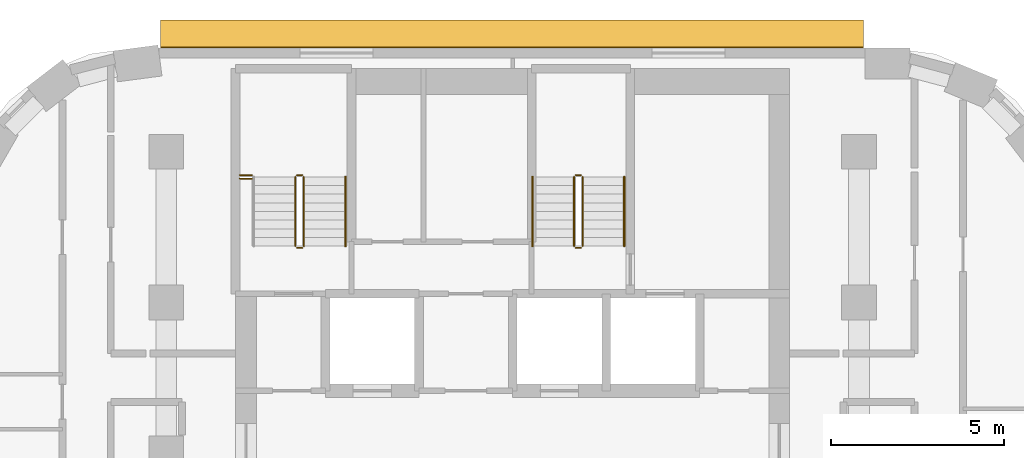
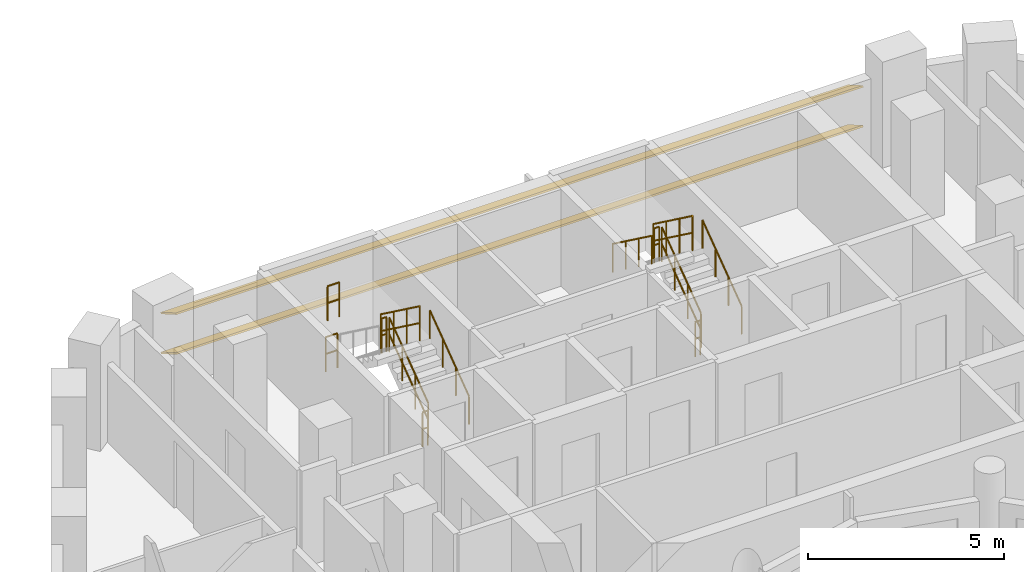
# One storey, part 13 of 13: 13 railings, 2 shading devices.
"""IFC4 building model written with IfcOpenShell, lengths in metres."""

from ifc_helpers import new_model, si_unit, direction, frame, origin, origin_2d, place, context, subcontext, project, spatial, rectangle, circle, extrude, material, material_profile, profile_set, type_object, element, save


model = new_model("IFC4")

# Units and contexts
model_context = context("Model", 3, precision=1e-05, world=origin(), true_north=direction((0.0, 1.0)))
body_context = subcontext(model_context, "Body", "Model", "MODEL_VIEW")
ifc_project = project(units=[si_unit("LENGTHUNIT", "METRE"), si_unit("AREAUNIT", "SQUARE_METRE"), si_unit("VOLUMEUNIT", "CUBIC_METRE"), si_unit("PLANEANGLEUNIT", "RADIAN"), si_unit("MASSUNIT", "GRAM", prefix="KILO")], contexts=[model_context])

# Site, building, storey
site_placement = place(None, origin())
site = spatial("IfcSite", under=ifc_project, at=site_placement, CompositionType="ELEMENT")
building_placement = place(site_placement, origin())
building = spatial("IfcBuilding", under=site, at=building_placement, Name="Nakaniwa Court", CompositionType="ELEMENT")
storey_placement = place(building_placement, frame((0.0, 0.0, 133.800048828125)))
storey = spatial("IfcBuildingStorey", under=building, at=storey_placement, Name="L34", CompositionType="ELEMENT", Elevation=133.800048828125)

# Shading devices
ifc_material_1 = material(Name="Perforated charcoal ceramic louvre blade")
ifc_material_profile = material_profile(ifc_material_1, rectangle(XDim=0.89990234375, YDim=0.050048828125, at=origin_2d()), Name="Perforated ceramic louvre blade")
ifc_profile_set = profile_set([ifc_material_profile], Name="Perforated charcoal ceramic louvre blade")
shading_device_type = type_object("IfcShadingDeviceType", Name="Perforated ceramic louvre blade", PredefinedType="JALOUSIE", material=ifc_profile_set)
for number, where, z_axis, x_axis, name in (
    (1, (90.128662109375, 104.402099609375, 0.550048828125), (-1.0, 0.0, 0.0), (0.0, -0.866025403784, 0.5), "L34 perforated ceramic louvre blade w08 1"),
    (2, (90.128662109375, 104.402099609375, 1.793212890625), (-1.0, 0.0, 0.0), (0.0, -0.866025403784, 0.5), "L34 perforated ceramic louvre blade w08 2"),
):
    element("IfcShadingDevice", number, at=place(storey_placement, frame(where, z_axis=z_axis, x_axis=x_axis)), inside=storey, type_object=shading_device_type, Name=name, PredefinedType="JALOUSIE", context=body_context, shape_type="SweptSolid", body=[
        extrude(rectangle(XDim=0.89990234375, YDim=0.050048828125, at=origin_2d()), origin(), (0.0, 0.0, 1.0), 20.291259765625),
    ])

# Railings
ifc_material_2 = material(Name="Black powder coated steel guard", Category="steel")
railing_type_1 = type_object("IfcRailingType", Name="Stair guard 1100", PredefinedType="GUARDRAIL", material=ifc_material_2)
railing_1_placement = place(storey_placement, frame((73.97509765625, 98.27490234375, 0.183349609375)))
element("IfcRailing", 3, at=railing_1_placement, inside=storey, type_object=railing_type_1, Name="L34 ST1 stair guard 1", PredefinedType="GUARDRAIL", context=body_context, shape_type="SweptSolid", body=[
    extrude(circle(Radius=0.02392578125, at=origin_2d()), frame((0.0, 0.0, 1.076171875), z_axis=(0.0, 0.806426902644, 0.591333789573), x_axis=(-1.0, 0.0, 0.0)), (0.0, 0.0, 1.0), 2.47998046875),
    extrude(circle(Radius=0.02392578125, at=origin_2d()), frame((0.0, 0.0, 0.550048828125), z_axis=(0.0, 0.806426902644, 0.591333789573), x_axis=(-1.0, 0.0, 0.0)), (0.0, 0.0, 1.0), 2.47998046875),
    extrude(circle(Radius=0.02099609375, at=origin_2d()), origin(), (0.0, 0.0, 1.0), 1.052001953125),
    extrude(circle(Radius=0.02099609375, at=origin_2d()), frame((0.0, 0.666748046875, 0.48876953125)), (0.0, 0.0, 1.0), 1.052001953125),
    extrude(circle(Radius=0.02099609375, at=origin_2d()), frame((0.0, 1.333251953125, 0.977783203125)), (0.0, 0.0, 1.0), 1.052001953125),
    extrude(circle(Radius=0.02099609375, at=origin_2d()), frame((0.0, 2.0, 1.466552734375)), (0.0, 0.0, 1.0), 1.052001953125),
])
railing_2_placement = place(storey_placement, frame((73.925048828125, 100.324951171875, 1.64990234375)))
element("IfcRailing", 4, at=railing_2_placement, inside=storey, type_object=railing_type_1, Name="L34 ST1 stair guard 2", PredefinedType="GUARDRAIL", context=body_context, shape_type="SweptSolid", body=[
    extrude(circle(Radius=0.02392578125, at=origin_2d()), frame((0.0, 0.0, 1.076171875), z_axis=(-1.0, 0.0, 0.0), x_axis=(0.0, -1.0, 0.0)), (0.0, 0.0, 1.0), 0.150146484375),
    extrude(circle(Radius=0.02392578125, at=origin_2d()), frame((0.0, 0.0, 0.550048828125), z_axis=(-1.0, 0.0, 0.0), x_axis=(0.0, -1.0, 0.0)), (0.0, 0.0, 1.0), 0.150146484375),
    extrude(circle(Radius=0.02099609375, at=origin_2d()), origin(), (0.0, 0.0, 1.0), 1.052001953125),
    extrude(circle(Radius=0.02099609375, at=origin_2d()), frame((-0.150146484375, 0.0, 0.0)), (0.0, 0.0, 1.0), 1.052001953125),
])
railing_3_placement = place(storey_placement, frame((73.72509765625, 100.27490234375, 1.833251953125)))
element("IfcRailing", 5, at=railing_3_placement, inside=storey, type_object=railing_type_1, Name="L34 ST1 stair guard 3", PredefinedType="GUARDRAIL", context=body_context, shape_type="SweptSolid", body=[
    extrude(circle(Radius=0.02392578125, at=origin_2d()), frame((0.0, 0.0, 1.076171875), z_axis=(0.0, -0.806379959628, 0.591397802423), x_axis=(1.0, 0.0, 0.0)), (0.0, 0.0, 1.0), 2.480224609375),
    extrude(circle(Radius=0.02392578125, at=origin_2d()), frame((0.0, 0.0, 0.550048828125), z_axis=(0.0, -0.806379959628, 0.591397802423), x_axis=(1.0, 0.0, 0.0)), (0.0, 0.0, 1.0), 2.480224609375),
    extrude(circle(Radius=0.02099609375, at=origin_2d()), origin(), (0.0, 0.0, 1.0), 1.052001953125),
    extrude(circle(Radius=0.02099609375, at=origin_2d()), frame((0.0, -0.666748046875, 0.489013671875)), (0.0, 0.0, 1.0), 1.052001953125),
    extrude(circle(Radius=0.02099609375, at=origin_2d()), frame((0.0, -1.333251953125, 0.977783203125)), (0.0, 0.0, 1.0), 1.052001953125),
    extrude(circle(Radius=0.02099609375, at=origin_2d()), frame((0.0, -2.0, 1.466796875)), (0.0, 0.0, 1.0), 1.052001953125),
])
railing_4_placement = place(storey_placement, frame((73.925048828125, 98.22509765625, 0.0)))
element("IfcRailing", 6, at=railing_4_placement, inside=storey, type_object=railing_type_1, Name="L34 ST1 stair guard 4", PredefinedType="GUARDRAIL", context=body_context, shape_type="SweptSolid", body=[
    extrude(circle(Radius=0.02392578125, at=origin_2d()), frame((0.0, 0.0, 1.076171875), z_axis=(-1.0, 0.0, 0.0), x_axis=(0.0, -1.0, 0.0)), (0.0, 0.0, 1.0), 0.150146484375),
    extrude(circle(Radius=0.02392578125, at=origin_2d()), frame((0.0, 0.0, 0.550048828125), z_axis=(-1.0, 0.0, 0.0), x_axis=(0.0, -1.0, 0.0)), (0.0, 0.0, 1.0), 0.150146484375),
    extrude(circle(Radius=0.02099609375, at=origin_2d()), origin(), (0.0, 0.0, 1.0), 1.052001953125),
    extrude(circle(Radius=0.02099609375, at=origin_2d()), frame((-0.150146484375, 0.0, 0.0)), (0.0, 0.0, 1.0), 1.052001953125),
])
for number, where, name in (
    (7, (72.125, 100.324951171875, 1.64990234375), "L34 ST1 landing side guard 1W"),
    (8, (72.125, 100.22509765625, 3.300048828125), "L34 ST1 floor edge guard 1W"),
):
    element("IfcRailing", number, at=place(storey_placement, frame(where)), inside=storey, type_object=railing_type_1, Name=name, PredefinedType="GUARDRAIL", context=body_context, shape_type="SweptSolid", body=[
        extrude(circle(Radius=0.02392578125, at=origin_2d()), frame((0.0, 0.0, 1.076171875), z_axis=(1.0, 0.0, 0.0), x_axis=(0.0, 1.0, 0.0)), (0.0, 0.0, 1.0), 0.35009765625),
        extrude(circle(Radius=0.02392578125, at=origin_2d()), frame((0.0, 0.0, 0.550048828125), z_axis=(1.0, 0.0, 0.0), x_axis=(0.0, 1.0, 0.0)), (0.0, 0.0, 1.0), 0.35009765625),
        extrude(circle(Radius=0.02099609375, at=origin_2d()), origin(), (0.0, 0.0, 1.0), 1.052001953125),
        extrude(circle(Radius=0.02099609375, at=origin_2d()), frame((0.35009765625, 0.0, 0.0)), (0.0, 0.0, 1.0), 1.052001953125),
    ])
railing_5_placement = place(storey_placement, frame((82.02490234375, 98.27490234375, 0.183349609375)))
element("IfcRailing", 9, at=railing_5_placement, inside=storey, type_object=railing_type_1, Name="L34 ST2 stair guard 1", PredefinedType="GUARDRAIL", context=body_context, shape_type="SweptSolid", body=[
    extrude(circle(Radius=0.02392578125, at=origin_2d()), frame((0.0, 0.0, 1.076171875), z_axis=(0.0, 0.806426902644, 0.591333789573), x_axis=(-1.0, 0.0, 0.0)), (0.0, 0.0, 1.0), 2.47998046875),
    extrude(circle(Radius=0.02392578125, at=origin_2d()), frame((0.0, 0.0, 0.550048828125), z_axis=(0.0, 0.806426902644, 0.591333789573), x_axis=(-1.0, 0.0, 0.0)), (0.0, 0.0, 1.0), 2.47998046875),
    extrude(circle(Radius=0.02099609375, at=origin_2d()), origin(), (0.0, 0.0, 1.0), 1.052001953125),
    extrude(circle(Radius=0.02099609375, at=origin_2d()), frame((0.0, 0.666748046875, 0.48876953125)), (0.0, 0.0, 1.0), 1.052001953125),
    extrude(circle(Radius=0.02099609375, at=origin_2d()), frame((0.0, 1.333251953125, 0.977783203125)), (0.0, 0.0, 1.0), 1.052001953125),
    extrude(circle(Radius=0.02099609375, at=origin_2d()), frame((0.0, 2.0, 1.466552734375)), (0.0, 0.0, 1.0), 1.052001953125),
])
railing_6_placement = place(storey_placement, frame((81.97509765625, 100.324951171875, 1.64990234375)))
element("IfcRailing", 10, at=railing_6_placement, inside=storey, type_object=railing_type_1, Name="L34 ST2 stair guard 2", PredefinedType="GUARDRAIL", context=body_context, shape_type="SweptSolid", body=[
    extrude(circle(Radius=0.02392578125, at=origin_2d()), frame((0.0, 0.0, 1.076171875), z_axis=(-1.0, 0.0, 0.0), x_axis=(0.0, -1.0, 0.0)), (0.0, 0.0, 1.0), 0.150146484375),
    extrude(circle(Radius=0.02392578125, at=origin_2d()), frame((0.0, 0.0, 0.550048828125), z_axis=(-1.0, 0.0, 0.0), x_axis=(0.0, -1.0, 0.0)), (0.0, 0.0, 1.0), 0.150146484375),
    extrude(circle(Radius=0.02099609375, at=origin_2d()), origin(), (0.0, 0.0, 1.0), 1.052001953125),
    extrude(circle(Radius=0.02099609375, at=origin_2d()), frame((-0.150146484375, 0.0, 0.0)), (0.0, 0.0, 1.0), 1.052001953125),
])
railing_7_placement = place(storey_placement, frame((81.77490234375, 100.27490234375, 1.833251953125)))
element("IfcRailing", 11, at=railing_7_placement, inside=storey, type_object=railing_type_1, Name="L34 ST2 stair guard 3", PredefinedType="GUARDRAIL", context=body_context, shape_type="SweptSolid", body=[
    extrude(circle(Radius=0.02392578125, at=origin_2d()), frame((0.0, 0.0, 1.076171875), z_axis=(0.0, -0.806379959628, 0.591397802423), x_axis=(1.0, 0.0, 0.0)), (0.0, 0.0, 1.0), 2.480224609375),
    extrude(circle(Radius=0.02392578125, at=origin_2d()), frame((0.0, 0.0, 0.550048828125), z_axis=(0.0, -0.806379959628, 0.591397802423), x_axis=(1.0, 0.0, 0.0)), (0.0, 0.0, 1.0), 2.480224609375),
    extrude(circle(Radius=0.02099609375, at=origin_2d()), origin(), (0.0, 0.0, 1.0), 1.052001953125),
    extrude(circle(Radius=0.02099609375, at=origin_2d()), frame((0.0, -0.666748046875, 0.489013671875)), (0.0, 0.0, 1.0), 1.052001953125),
    extrude(circle(Radius=0.02099609375, at=origin_2d()), frame((0.0, -1.333251953125, 0.977783203125)), (0.0, 0.0, 1.0), 1.052001953125),
    extrude(circle(Radius=0.02099609375, at=origin_2d()), frame((0.0, -2.0, 1.466796875)), (0.0, 0.0, 1.0), 1.052001953125),
])
railing_8_placement = place(storey_placement, frame((81.97509765625, 98.22509765625, 0.0)))
element("IfcRailing", 12, at=railing_8_placement, inside=storey, type_object=railing_type_1, Name="L34 ST2 stair guard 4", PredefinedType="GUARDRAIL", context=body_context, shape_type="SweptSolid", body=[
    extrude(circle(Radius=0.02392578125, at=origin_2d()), frame((0.0, 0.0, 1.076171875), z_axis=(-1.0, 0.0, 0.0), x_axis=(0.0, -1.0, 0.0)), (0.0, 0.0, 1.0), 0.150146484375),
    extrude(circle(Radius=0.02392578125, at=origin_2d()), frame((0.0, 0.0, 0.550048828125), z_axis=(-1.0, 0.0, 0.0), x_axis=(0.0, -1.0, 0.0)), (0.0, 0.0, 1.0), 0.150146484375),
    extrude(circle(Radius=0.02099609375, at=origin_2d()), origin(), (0.0, 0.0, 1.0), 1.052001953125),
    extrude(circle(Radius=0.02099609375, at=origin_2d()), frame((-0.150146484375, 0.0, 0.0)), (0.0, 0.0, 1.0), 1.052001953125),
])
ifc_material_3 = material(Name="Black powder coated steel handrail", Category="steel")
railing_type_2 = type_object("IfcRailingType", Name="Stair handrail 900", PredefinedType="HANDRAIL", material=ifc_material_3)
for number, where, name in (
    (13, (75.175048828125, 98.27490234375, 0.183349609375), "L34 ST1 stair handrail 1"),
    (14, (83.22509765625, 98.27490234375, 0.183349609375), "L34 ST2 stair handrail 1"),
):
    element("IfcRailing", number, at=place(storey_placement, frame(where)), inside=storey, type_object=railing_type_2, Name=name, PredefinedType="HANDRAIL", context=body_context, shape_type="SweptSolid", body=[
        extrude(circle(Radius=0.02392578125, at=origin_2d()), frame((0.0, 0.0, 0.8759765625), z_axis=(0.0, 0.806426902644, 0.591333789573), x_axis=(-1.0, 0.0, 0.0)), (0.0, 0.0, 1.0), 2.47998046875),
        extrude(circle(Radius=0.02099609375, at=origin_2d()), origin(), (0.0, 0.0, 1.0), 0.851806640625),
        extrude(circle(Radius=0.02099609375, at=origin_2d()), frame((0.0, 0.666748046875, 0.48876953125)), (0.0, 0.0, 1.0), 0.851806640625),
        extrude(circle(Radius=0.02099609375, at=origin_2d()), frame((0.0, 1.333251953125, 0.977783203125)), (0.0, 0.0, 1.0), 0.851806640625),
        extrude(circle(Radius=0.02099609375, at=origin_2d()), frame((0.0, 2.0, 1.466552734375)), (0.0, 0.0, 1.0), 0.851806640625),
    ])
railing_9_placement = place(storey_placement, frame((80.574951171875, 100.27490234375, 1.833251953125)))
element("IfcRailing", 15, at=railing_9_placement, inside=storey, type_object=railing_type_2, Name="L34 ST2 stair handrail 2", PredefinedType="HANDRAIL", context=body_context, shape_type="SweptSolid", body=[
    extrude(circle(Radius=0.02392578125, at=origin_2d()), frame((0.0, 0.0, 0.8759765625), z_axis=(0.0, -0.806379959628, 0.591397802423), x_axis=(1.0, 0.0, 0.0)), (0.0, 0.0, 1.0), 2.480224609375),
    extrude(circle(Radius=0.02099609375, at=origin_2d()), origin(), (0.0, 0.0, 1.0), 0.851806640625),
    extrude(circle(Radius=0.02099609375, at=origin_2d()), frame((0.0, -0.666748046875, 0.489013671875)), (0.0, 0.0, 1.0), 0.851806640625),
    extrude(circle(Radius=0.02099609375, at=origin_2d()), frame((0.0, -1.333251953125, 0.977783203125)), (0.0, 0.0, 1.0), 0.851806640625),
    extrude(circle(Radius=0.02099609375, at=origin_2d()), frame((0.0, -2.0, 1.466796875)), (0.0, 0.0, 1.0), 0.851806640625),
])

save(model, "model.ifc")
